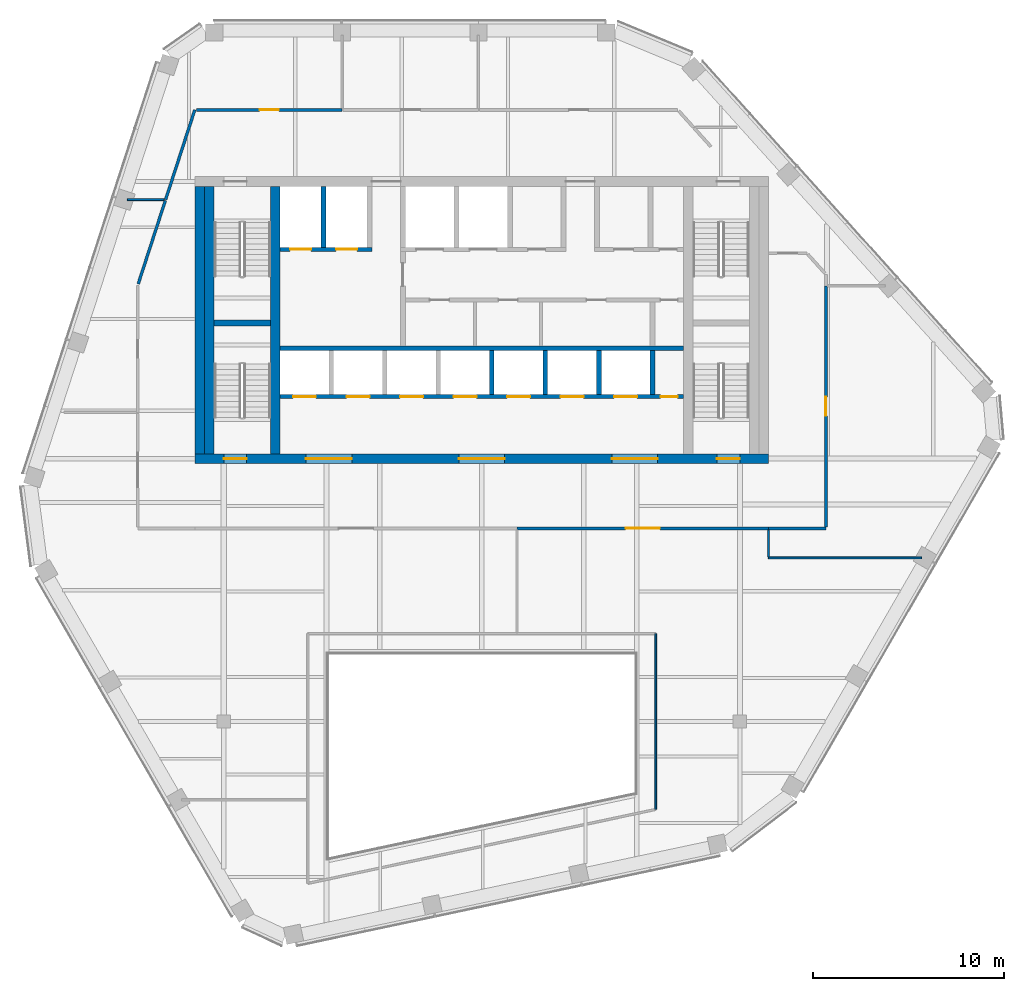
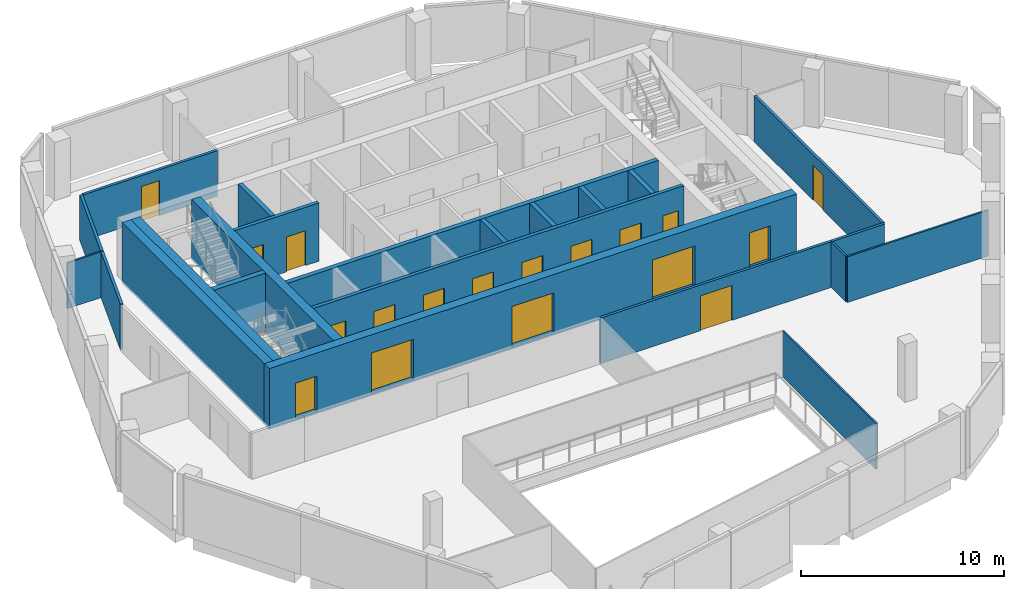
# One storey, part 8 of 15: 23 walls, 18 doors, 18 openings.
"""IFC4 building model written with IfcOpenShell, lengths in metres."""

from ifc_helpers import new_model, si_unit, direction, frame, frame_2d, origin, place, context, subcontext, project, spatial, rectangle, extrude, material, layer, layer_set, type_object, element, fill, save


model = new_model("IFC4")

# Units and contexts
model_context = context("Model", 3, precision=1e-05, world=origin(), true_north=direction((0.0, 1.0)))
body_context = subcontext(model_context, "Body", "Model", "MODEL_VIEW")
ifc_project = project(units=[si_unit("LENGTHUNIT", "METRE"), si_unit("AREAUNIT", "SQUARE_METRE"), si_unit("VOLUMEUNIT", "CUBIC_METRE"), si_unit("PLANEANGLEUNIT", "RADIAN"), si_unit("MASSUNIT", "GRAM", prefix="KILO")], contexts=[model_context])

# Site, building, storey
site_placement = place(None, origin())
site = spatial("IfcSite", under=ifc_project, at=site_placement, CompositionType="ELEMENT")
building_placement = place(site_placement, origin())
building = spatial("IfcBuilding", under=site, at=building_placement, Name="Isthmus Gate Tower", CompositionType="ELEMENT")
storey_placement = place(building_placement, frame((0.0, 0.0, 282.85009765625)))
storey = spatial("IfcBuildingStorey", under=building, at=storey_placement, Name="L72", CompositionType="ELEMENT", Elevation=282.85009765625)

# Wall
ifc_material_1 = material(Name="Fire-rated laminated glass in steel frame", Category="steel")
ifc_layer_1 = layer(ifc_material_1, 0.10009765625)
ifc_layer_set_1 = layer_set([ifc_layer_1], Name="ATRIUM SCREEN GLAZED WALL 100 120 MIN")
wall_type_1 = type_object("IfcWallType", Name="ATRIUM SCREEN GLAZED WALL 100 120 MIN", PredefinedType="PARTITIONING", material=ifc_layer_set_1)
wall_1_placement = place(storey_placement, frame((9.10009765625, -8.89990234375, 0.0), z_axis=(0.0, 0.0, 1.0), x_axis=(0.0, -1.0, 0.0)))
element("IfcWall", 1, at=wall_1_placement, inside=storey, type_object=wall_type_1, Name="L72 atrium screen", PredefinedType="PARTITIONING", context=body_context, shape_type="SweptSolid", body=[
    extrude(rectangle(XDim=9.200927734375, YDim=0.10009765625, at=frame_2d((4.6005859375, 0.0))), origin(), (0.0, 0.0, 1.0), 2.75048828125),
])

# Wall, opening, door
ifc_material_2 = material(Name="Gypsum board on steel studs, fire-rated", Category="steel")
ifc_layer_2 = layer(ifc_material_2, 0.14990234375)
ifc_layer_set_2 = layer_set([ifc_layer_2], Name="CORRIDOR WALL 150 60 MIN")
wall_type_2 = type_object("IfcWallType", Name="CORRIDOR WALL 150 60 MIN", PredefinedType="PARTITIONING", material=ifc_layer_set_2)
wall_2_placement = place(storey_placement, frame((15.0, -3.39990234375, 0.0), z_axis=(0.0, 0.0, 1.0), x_axis=(-1.0, 0.0, 0.0)))
wall_2 = element("IfcWall", 2, at=wall_2_placement, inside=storey, type_object=wall_type_2, Name="L72 Corridor Wall 150 60 Min", PredefinedType="PARTITIONING", context=body_context, shape_type="SweptSolid", body=[
    extrude(rectangle(XDim=13.156005859375, YDim=0.14990234375, at=frame_2d((6.578125, 0.0))), origin(), (0.0, 0.0, 1.0), 2.75048828125),
])
opening_1_placement = place(wall_2_placement, frame((5.677978515625, 0.0, 0.0)))
opening_1 = element("IfcOpeningElement", 3, at=opening_1_placement, cuts=wall_2, Name="Opening DT-T6C-09", PredefinedType="OPENING", context=body_context, shape_type="SweptSolid", body=[
    extrude(rectangle(XDim=1.800048828125, YDim=2.10009765625, at=frame_2d((0.89990234375, 1.050048828125))), frame((0.0, 0.0849609375, 0.0), z_axis=(0.0, -1.0, 0.0), x_axis=(1.0, 0.0, 0.0)), (0.0, 0.0, 1.0), 0.169921875),
])
ifc_material_3 = material(Name="Solid core timber door leaf, fire-rated", Category="wood")
door_type_1 = type_object("IfcDoorType", Name="FIRE DOOR ROOM 1800 X 2100 60 MIN", OperationType="DOUBLE_DOOR_DOUBLE_SWING", PredefinedType="DOOR", material=ifc_material_3)
door_1_placement = place(opening_1_placement, origin())
door_1 = element("IfcDoor", 4, at=door_1_placement, inside=storey, type_object=door_type_1, Name="L72 room door", OperationType="DOUBLE_DOOR_DOUBLE_SWING", OverallHeight=2.10009765625, OverallWidth=1.800048828125, PredefinedType="DOOR", context=body_context, shape_type="SweptSolid", body=[
    extrude(rectangle(XDim=1.800048828125, YDim=2.10009765625, at=frame_2d((0.89990234375, 1.050048828125))), frame((0.0, 0.02490234375, 0.0), z_axis=(0.0, -1.0, 0.0), x_axis=(1.0, 0.0, 0.0)), (0.0, 0.0, 1.0), 0.050048828125),
])
fill(opening_1, door_1)

# Wall
wall_3_placement = place(storey_placement, frame((18.0, -3.39990234375, 0.0), z_axis=(0.0, 0.0, 1.0), x_axis=(-1.0, 0.0, 0.0)))
element("IfcWall", 5, at=wall_3_placement, inside=storey, type_object=wall_type_2, Name="L72 Corridor Wall 150 60 Min", PredefinedType="PARTITIONING", context=body_context, shape_type="SweptSolid", body=[
    extrude(rectangle(XDim=3.0, YDim=0.14990234375, at=frame_2d((1.5, 0.0))), origin(), (0.0, 0.0, 1.0), 2.75048828125),
])

# Wall, opening, door
wall_4_placement = place(storey_placement, frame((18.0, 9.2900390625, 0.0), z_axis=(0.0, 0.0, 1.0), x_axis=(0.0, -1.0, 0.0)))
wall_4 = element("IfcWall", 6, at=wall_4_placement, inside=storey, type_object=wall_type_2, Name="L72 Corridor Wall 150 60 Min", PredefinedType="PARTITIONING", context=body_context, shape_type="SweptSolid", body=[
    extrude(rectangle(XDim=12.614990234375, YDim=0.14990234375, at=frame_2d((6.3076171875, 0.0))), origin(), (0.0, 0.0, 1.0), 2.75048828125),
])
opening_2_placement = place(wall_4_placement, frame((5.8076171875, 0.0, 0.0)))
opening_2 = element("IfcOpeningElement", 7, at=opening_2_placement, cuts=wall_4, Name="Opening DT-T6C-06", PredefinedType="OPENING", context=body_context, shape_type="SweptSolid", body=[
    extrude(rectangle(XDim=1.0, YDim=2.10009765625, at=frame_2d((0.5, 1.050048828125))), frame((0.0, 0.0849609375, 0.0), z_axis=(0.0, -1.0, 0.0), x_axis=(1.0, 0.0, 0.0)), (0.0, 0.0, 1.0), 0.169921875),
])
ifc_material_4 = material(Name="Solid core timber door leaf, fire-rated", Category="wood")
door_type_2 = type_object("IfcDoorType", Name="FIRE DOOR ROOM 1000 X 2100 60 MIN", OperationType="SINGLE_SWING_LEFT", PredefinedType="DOOR", material=ifc_material_4)
door_2_placement = place(opening_2_placement, origin())
door_2 = element("IfcDoor", 8, at=door_2_placement, inside=storey, type_object=door_type_2, Name="L72 room door", OperationType="SINGLE_SWING_RIGHT", OverallHeight=2.10009765625, OverallWidth=1.0, PredefinedType="DOOR", context=body_context, shape_type="SweptSolid", body=[
    extrude(rectangle(XDim=1.0, YDim=2.10009765625, at=frame_2d((0.5, 1.050048828125))), frame((0.0, 0.02490234375, 0.0), z_axis=(0.0, -1.0, 0.0), x_axis=(1.0, 0.0, 0.0)), (0.0, 0.0, 1.0), 0.050048828125),
])
fill(opening_2, door_2)

# Wall
wall_5_placement = place(storey_placement, frame((-16.541015625, 13.803955078125, 0.0), z_axis=(0.0, 0.0, 1.0), x_axis=(0.309069302416, 0.951039518792, 0.0)))
element("IfcWall", 9, at=wall_5_placement, inside=storey, type_object=wall_type_2, Name="L72 Corridor Wall 150 60 Min", PredefinedType="PARTITIONING", context=body_context, shape_type="SweptSolid", body=[
    extrude(rectangle(XDim=4.937744140625, YDim=0.14990234375, at=frame_2d((2.46875, 0.0))), origin(), (0.0, 0.0, 1.0), 2.75048828125),
])

# Wall, opening, door
wall_6_placement = place(storey_placement, frame((-14.925048828125, 18.5, 0.0), z_axis=(0.0, 0.0, 1.0), x_axis=(1.0, 0.0, 0.0)))
wall_6 = element("IfcWall", 10, at=wall_6_placement, inside=storey, type_object=wall_type_2, Name="L72 Corridor Wall 150 60 Min", PredefinedType="PARTITIONING", context=body_context, shape_type="SweptSolid", body=[
    extrude(rectangle(XDim=7.614990234375, YDim=0.14990234375, at=frame_2d((3.8076171875, 0.0))), origin(), (0.0, 0.0, 1.0), 2.75048828125),
])
opening_3_placement = place(wall_6_placement, frame((3.3076171875, 0.0, 0.0)))
opening_3 = element("IfcOpeningElement", 11, at=opening_3_placement, cuts=wall_6, Name="Opening DT-T6C-01", PredefinedType="OPENING", context=body_context, shape_type="SweptSolid", body=[
    extrude(rectangle(XDim=1.0, YDim=2.10009765625, at=frame_2d((0.5, 1.050048828125))), frame((0.0, 0.0849609375, 0.0), z_axis=(0.0, -1.0, 0.0), x_axis=(1.0, 0.0, 0.0)), (0.0, 0.0, 1.0), 0.169921875),
])
door_3_placement = place(opening_3_placement, origin())
door_3 = element("IfcDoor", 12, at=door_3_placement, inside=storey, type_object=door_type_2, Name="L72 room door", OperationType="SINGLE_SWING_RIGHT", OverallHeight=2.10009765625, OverallWidth=1.0, PredefinedType="DOOR", context=body_context, shape_type="SweptSolid", body=[
    extrude(rectangle(XDim=1.0, YDim=2.10009765625, at=frame_2d((0.5, 1.050048828125))), frame((0.0, 0.02490234375, 0.0), z_axis=(0.0, -1.0, 0.0), x_axis=(1.0, 0.0, 0.0)), (0.0, 0.0, 1.0), 0.050048828125),
])
fill(opening_3, door_3)

# Walls
wall_7_placement = place(storey_placement, frame((-17.976806640625, 9.38623046875, 0.0), z_axis=(0.0, 0.0, 1.0), x_axis=(0.309110099354, 0.951026259615, 0.0)))
element("IfcWall", 13, at=wall_7_placement, inside=storey, type_object=wall_type_2, Name="L72 Corridor Wall 150 60 Min", PredefinedType="PARTITIONING", context=body_context, shape_type="SweptSolid", body=[
    extrude(rectangle(XDim=4.59521484375, YDim=0.14990234375, at=frame_2d((2.297607421875, 0.0))), origin(), (0.0, 0.0, 1.0), 2.75048828125),
])
ifc_material_5 = material(Name="Concrete f'c 50 MPa", Category="concrete")
ifc_layer_3 = layer(ifc_material_5, 0.5)
ifc_layer_set_3 = layer_set([ifc_layer_3], Name="RC CORE SPINE WALL 500 F'C 50")
wall_type_3 = type_object("IfcWallType", Name="RC CORE SPINE WALL 500 F'C 50", PredefinedType="SOLIDWALL", material=ifc_layer_set_3)
wall_8_placement = place(storey_placement, frame((-10.800048828125, 0.5, -0.150146484375), z_axis=(0.0, 0.0, 1.0), x_axis=(0.0, 1.0, 0.0)))
element("IfcWall", 14, at=wall_8_placement, inside=storey, type_object=wall_type_3, Name="str-corewall-L72-SPW", PredefinedType="SOLIDWALL", context=body_context, shape_type="SweptSolid", body=[
    extrude(rectangle(XDim=14.0, YDim=0.5, at=frame_2d((7.0, 0.0))), origin(), (0.0, 0.0, 1.0), 3.650146484375),
])

# Wall, openings, doors
ifc_material_6 = material(Name="Concrete f'c 50 MPa", Category="concrete")
ifc_layer_4 = layer(ifc_material_6, 0.5)
ifc_layer_set_4 = layer_set([ifc_layer_4], Name="RC CORE WALL 500 F'C 50")
wall_type_4 = type_object("IfcWallType", Name="RC CORE WALL 500 F'C 50", PredefinedType="SOLIDWALL", material=ifc_layer_set_4)
wall_9_placement = place(storey_placement, frame((-15.0, 0.25, -0.150146484375), z_axis=(0.0, 0.0, 1.0), x_axis=(1.0, 0.0, 0.0)))
wall_9 = element("IfcWall", 15, at=wall_9_placement, inside=storey, type_object=wall_type_4, Name="str-corewall-L72-S", PredefinedType="SOLIDWALL", context=body_context, shape_type="SweptSolid", body=[
    extrude(rectangle(XDim=30.0, YDim=0.5, at=frame_2d((15.0, 0.0))), origin(), (0.0, 0.0, 1.0), 3.650146484375),
])
opening_4_placement = place(wall_9_placement, frame((5.800048828125, 0.0, 0.14990234375)))
opening_4 = element("IfcOpeningElement", 16, at=opening_4_placement, cuts=wall_9, Name="Opening DC-A18-10", PredefinedType="OPENING", context=body_context, shape_type="SweptSolid", body=[
    extrude(rectangle(XDim=2.39990234375, YDim=2.39990234375, at=frame_2d((1.199951171875, 1.199951171875))), frame((0.0, 0.260009765625, 0.0), z_axis=(0.0, -1.0, 0.0), x_axis=(1.0, 0.0, 0.0)), (0.0, 0.0, 1.0), 0.52001953125),
])
opening_5_placement = place(wall_9_placement, frame((13.800048828125, 0.0, 0.14990234375)))
opening_5 = element("IfcOpeningElement", 17, at=opening_5_placement, cuts=wall_9, Name="Opening DC-A18-11", PredefinedType="OPENING", context=body_context, shape_type="SweptSolid", body=[
    extrude(rectangle(XDim=2.39990234375, YDim=2.39990234375, at=frame_2d((1.199951171875, 1.199951171875))), frame((0.0, 0.260009765625, 0.0), z_axis=(0.0, -1.0, 0.0), x_axis=(1.0, 0.0, 0.0)), (0.0, 0.0, 1.0), 0.52001953125),
])
opening_6_placement = place(wall_9_placement, frame((21.800048828125, 0.0, 0.14990234375)))
opening_6 = element("IfcOpeningElement", 18, at=opening_6_placement, cuts=wall_9, Name="Opening DC-A18-12", PredefinedType="OPENING", context=body_context, shape_type="SweptSolid", body=[
    extrude(rectangle(XDim=2.39990234375, YDim=2.39990234375, at=frame_2d((1.199951171875, 1.199951171875))), frame((0.0, 0.260009765625, 0.0), z_axis=(0.0, -1.0, 0.0), x_axis=(1.0, 0.0, 0.0)), (0.0, 0.0, 1.0), 0.52001953125),
])
opening_7_placement = place(wall_9_placement, frame((1.5, 0.0, 0.14990234375)))
opening_7 = element("IfcOpeningElement", 19, at=opening_7_placement, cuts=wall_9, Name="Opening DC-A18-17", PredefinedType="OPENING", context=body_context, shape_type="SweptSolid", body=[
    extrude(rectangle(XDim=1.199951171875, YDim=2.10009765625, at=frame_2d((0.60009765625, 1.050048828125))), frame((0.0, 0.260009765625, 0.0), z_axis=(0.0, -1.0, 0.0), x_axis=(1.0, 0.0, 0.0)), (0.0, 0.0, 1.0), 0.52001953125),
])
opening_8_placement = place(wall_9_placement, frame((27.300048828125, 0.0, 0.14990234375)))
opening_8 = element("IfcOpeningElement", 20, at=opening_8_placement, cuts=wall_9, Name="Opening DC-A18-18", PredefinedType="OPENING", context=body_context, shape_type="SweptSolid", body=[
    extrude(rectangle(XDim=1.199951171875, YDim=2.10009765625, at=frame_2d((0.60009765625, 1.050048828125))), frame((0.0, 0.260009765625, 0.0), z_axis=(0.0, -1.0, 0.0), x_axis=(1.0, 0.0, 0.0)), (0.0, 0.0, 1.0), 0.52001953125),
])
ifc_material_7 = material(Name="Laminated safety glass in steel frame, fire-rated", Category="steel")
door_type_3 = type_object("IfcDoorType", Name="LOBBY ENTRANCE FIRE DOOR 2400 X 2400 60 MIN", OperationType="DOUBLE_DOOR_DOUBLE_SWING", PredefinedType="DOOR", material=ifc_material_7)
door_4_placement = place(opening_4_placement, origin())
door_4 = element("IfcDoor", 21, at=door_4_placement, inside=storey, type_object=door_type_3, Name="Lobby Entrance PS-W", OperationType="DOUBLE_DOOR_DOUBLE_SWING", OverallHeight=2.39990234375, OverallWidth=2.39990234375, PredefinedType="DOOR", context=body_context, shape_type="SweptSolid", body=[
    extrude(rectangle(XDim=2.39990234375, YDim=2.39990234375, at=frame_2d((1.199951171875, 1.199951171875))), frame((0.0, 0.02490234375, 0.0), z_axis=(0.0, -1.0, 0.0), x_axis=(1.0, 0.0, 0.0)), (0.0, 0.0, 1.0), 0.050048828125),
])
fill(opening_4, door_4)
door_5_placement = place(opening_5_placement, origin())
door_5 = element("IfcDoor", 22, at=door_5_placement, inside=storey, type_object=door_type_3, Name="Lobby Entrance PS-C", OperationType="DOUBLE_DOOR_DOUBLE_SWING", OverallHeight=2.39990234375, OverallWidth=2.39990234375, PredefinedType="DOOR", context=body_context, shape_type="SweptSolid", body=[
    extrude(rectangle(XDim=2.39990234375, YDim=2.39990234375, at=frame_2d((1.199951171875, 1.199951171875))), frame((0.0, 0.02490234375, 0.0), z_axis=(0.0, -1.0, 0.0), x_axis=(1.0, 0.0, 0.0)), (0.0, 0.0, 1.0), 0.050048828125),
])
fill(opening_5, door_5)
door_6_placement = place(opening_6_placement, origin())
door_6 = element("IfcDoor", 23, at=door_6_placement, inside=storey, type_object=door_type_3, Name="Lobby Entrance PS-E", OperationType="DOUBLE_DOOR_DOUBLE_SWING", OverallHeight=2.39990234375, OverallWidth=2.39990234375, PredefinedType="DOOR", context=body_context, shape_type="SweptSolid", body=[
    extrude(rectangle(XDim=2.39990234375, YDim=2.39990234375, at=frame_2d((1.199951171875, 1.199951171875))), frame((0.0, 0.02490234375, 0.0), z_axis=(0.0, -1.0, 0.0), x_axis=(1.0, 0.0, 0.0)), (0.0, 0.0, 1.0), 0.050048828125),
])
fill(opening_6, door_6)
ifc_material_8 = material(Name="Steel door leaf, fire-rated", Category="steel")
door_type_4 = type_object("IfcDoorType", Name="STAIR FIRE DOOR 1200 X 2100 90 MIN", OperationType="SINGLE_SWING_LEFT", PredefinedType="DOOR", material=ifc_material_8)
door_7_placement = place(opening_7_placement, origin())
door_7 = element("IfcDoor", 24, at=door_7_placement, inside=storey, type_object=door_type_4, Name="Exit Stair 7 Door", OperationType="SINGLE_SWING_LEFT", OverallHeight=2.10009765625, OverallWidth=1.199951171875, PredefinedType="DOOR", context=body_context, shape_type="SweptSolid", body=[
    extrude(rectangle(XDim=1.199951171875, YDim=2.10009765625, at=frame_2d((0.60009765625, 1.050048828125))), frame((0.0, 0.02490234375, 0.0), z_axis=(0.0, -1.0, 0.0), x_axis=(1.0, 0.0, 0.0)), (0.0, 0.0, 1.0), 0.050048828125),
])
fill(opening_7, door_7)
door_8_placement = place(opening_8_placement, origin())
door_8 = element("IfcDoor", 25, at=door_8_placement, inside=storey, type_object=door_type_4, Name="Exit Stair 8 Door", OperationType="SINGLE_SWING_RIGHT", OverallHeight=2.10009765625, OverallWidth=1.199951171875, PredefinedType="DOOR", context=body_context, shape_type="SweptSolid", body=[
    extrude(rectangle(XDim=1.199951171875, YDim=2.10009765625, at=frame_2d((0.60009765625, 1.050048828125))), frame((0.0, 0.02490234375, 0.0), z_axis=(0.0, -1.0, 0.0), x_axis=(1.0, 0.0, 0.0)), (0.0, 0.0, 1.0), 0.050048828125),
])
fill(opening_8, door_8)

# Walls
wall_10_placement = place(storey_placement, frame((-14.75, 0.5, -0.150146484375), z_axis=(0.0, 0.0, 1.0), x_axis=(0.0, 1.0, 0.0)))
element("IfcWall", 26, at=wall_10_placement, inside=storey, type_object=wall_type_4, Name="str-corewall-L72-W", PredefinedType="SOLIDWALL", context=body_context, shape_type="SweptSolid", body=[
    extrude(rectangle(XDim=14.0, YDim=0.5, at=frame_2d((7.0, 0.0))), origin(), (0.0, 0.0, 1.0), 3.650146484375),
])
ifc_material_9 = material(Name="Gypsum board on steel studs, fire-rated", Category="steel")
ifc_layer_5 = layer(ifc_material_9, 0.10009765625)
ifc_layer_set_5 = layer_set([ifc_layer_5], Name="ROOM PARTITION 100 30 MIN")
wall_type_5 = type_object("IfcWallType", Name="ROOM PARTITION 100 30 MIN", PredefinedType="PARTITIONING", material=ifc_layer_set_5)
wall_11_placement = place(storey_placement, frame((-18.5390625, 13.803955078125, 0.0), z_axis=(0.0, 0.0, 1.0), x_axis=(1.0, 0.0, 0.0)))
element("IfcWall", 27, at=wall_11_placement, inside=storey, type_object=wall_type_5, Name="L72 Room Partition 100 30 Min", PredefinedType="PARTITIONING", context=body_context, shape_type="SweptSolid", body=[
    extrude(rectangle(XDim=1.923095703125, YDim=0.10009765625, at=frame_2d((0.96142578125, 0.0))), origin(), (0.0, 0.0, 1.0), 2.75048828125),
])
wall_12_placement = place(storey_placement, frame((15.0, -4.945068359375, 0.0), z_axis=(0.0, 0.0, 1.0), x_axis=(1.0, 0.0, 0.0)))
element("IfcWall", 28, at=wall_12_placement, inside=storey, type_object=wall_type_5, Name="L72 Room Partition 100 30 Min", PredefinedType="PARTITIONING", context=body_context, shape_type="SweptSolid", body=[
    extrude(rectangle(XDim=8.010009765625, YDim=0.10009765625, at=frame_2d((4.0048828125, 0.0))), origin(), (0.0, 0.0, 1.0), 2.75048828125),
])
wall_13_placement = place(storey_placement, frame((15.0, -4.89501953125, 0.0), z_axis=(0.0, 0.0, 1.0), x_axis=(0.0, 1.0, 0.0)))
element("IfcWall", 29, at=wall_13_placement, inside=storey, type_object=wall_type_5, Name="L72 Room Partition 100 30 Min", PredefinedType="PARTITIONING", context=body_context, shape_type="SweptSolid", body=[
    extrude(rectangle(XDim=1.419921875, YDim=0.10009765625, at=frame_2d((0.7099609375, 0.0))), origin(), (0.0, 0.0, 1.0), 2.75048828125),
])

# Wall, openings, doors
ifc_material_10 = material(Name="Fire-rated blockwork masonry, 15 MPa", Category="masonry")
ifc_layer_6 = layer(ifc_material_10, 0.199951171875)
ifc_layer_set_6 = layer_set([ifc_layer_6], Name="SHAFT FRONT WALL 200 120 MIN")
wall_type_6 = type_object("IfcWallType", Name="SHAFT FRONT WALL 200 120 MIN", PredefinedType="PARTITIONING", material=ifc_layer_set_6)
wall_14_placement = place(storey_placement, frame((-10.550048828125, 3.5, 0.0), z_axis=(0.0, 0.0, 1.0), x_axis=(1.0, 0.0, 0.0)))
wall_14 = element("IfcWall", 30, at=wall_14_placement, inside=storey, type_object=wall_type_6, Name="L72 SHAFT FRONT WALL 200 120 MIN", PredefinedType="PARTITIONING", context=body_context, shape_type="SweptSolid", body=[
    extrude(rectangle(XDim=21.10009765625, YDim=0.199951171875, at=frame_2d((10.550048828125, 0.0))), origin(), (0.0, 0.0, 1.0), 3.5),
])
opening_9_placement = place(wall_14_placement, frame((0.675048828125, 0.0, 0.0)))
opening_9 = element("IfcOpeningElement", 31, at=opening_9_placement, cuts=wall_14, Name="Opening LD-LC1", PredefinedType="OPENING", context=body_context, shape_type="SweptSolid", body=[
    extrude(rectangle(XDim=1.199951171875, YDim=2.10009765625, at=frame_2d((0.60009765625, 1.050048828125))), frame((0.0, 0.10986328125, 0.0), z_axis=(0.0, -1.0, 0.0), x_axis=(1.0, 0.0, 0.0)), (0.0, 0.0, 1.0), 0.219970703125),
])
opening_10_placement = place(wall_14_placement, frame((3.47509765625, 0.0, 0.0)))
opening_10 = element("IfcOpeningElement", 32, at=opening_10_placement, cuts=wall_14, Name="Opening LD-LC2", PredefinedType="OPENING", context=body_context, shape_type="SweptSolid", body=[
    extrude(rectangle(XDim=1.199951171875, YDim=2.10009765625, at=frame_2d((0.60009765625, 1.050048828125))), frame((0.0, 0.10986328125, 0.0), z_axis=(0.0, -1.0, 0.0), x_axis=(1.0, 0.0, 0.0)), (0.0, 0.0, 1.0), 0.219970703125),
])
opening_11_placement = place(wall_14_placement, frame((6.27490234375, 0.0, 0.0)))
opening_11 = element("IfcOpeningElement", 33, at=opening_11_placement, cuts=wall_14, Name="Opening LD-LC3", PredefinedType="OPENING", context=body_context, shape_type="SweptSolid", body=[
    extrude(rectangle(XDim=1.199951171875, YDim=2.10009765625, at=frame_2d((0.60009765625, 1.050048828125))), frame((0.0, 0.10986328125, 0.0), z_axis=(0.0, -1.0, 0.0), x_axis=(1.0, 0.0, 0.0)), (0.0, 0.0, 1.0), 0.219970703125),
])
opening_12_placement = place(wall_14_placement, frame((9.074951171875, 0.0, 0.0)))
opening_12 = element("IfcOpeningElement", 34, at=opening_12_placement, cuts=wall_14, Name="Opening LD-LC4", PredefinedType="OPENING", context=body_context, shape_type="SweptSolid", body=[
    extrude(rectangle(XDim=1.199951171875, YDim=2.10009765625, at=frame_2d((0.60009765625, 1.050048828125))), frame((0.0, 0.10986328125, 0.0), z_axis=(0.0, -1.0, 0.0), x_axis=(1.0, 0.0, 0.0)), (0.0, 0.0, 1.0), 0.219970703125),
])
opening_13_placement = place(wall_14_placement, frame((11.875, 0.0, 0.0)))
opening_13 = element("IfcOpeningElement", 35, at=opening_13_placement, cuts=wall_14, Name="Opening LD-LC5", PredefinedType="OPENING", context=body_context, shape_type="SweptSolid", body=[
    extrude(rectangle(XDim=1.199951171875, YDim=2.10009765625, at=frame_2d((0.60009765625, 1.050048828125))), frame((0.0, 0.10986328125, 0.0), z_axis=(0.0, -1.0, 0.0), x_axis=(1.0, 0.0, 0.0)), (0.0, 0.0, 1.0), 0.219970703125),
])
opening_14_placement = place(wall_14_placement, frame((14.675048828125, 0.0, 0.0)))
opening_14 = element("IfcOpeningElement", 36, at=opening_14_placement, cuts=wall_14, Name="Opening LD-LC6", PredefinedType="OPENING", context=body_context, shape_type="SweptSolid", body=[
    extrude(rectangle(XDim=1.199951171875, YDim=2.10009765625, at=frame_2d((0.60009765625, 1.050048828125))), frame((0.0, 0.10986328125, 0.0), z_axis=(0.0, -1.0, 0.0), x_axis=(1.0, 0.0, 0.0)), (0.0, 0.0, 1.0), 0.219970703125),
])
opening_15_placement = place(wall_14_placement, frame((17.47509765625, 0.0, 0.0)))
opening_15 = element("IfcOpeningElement", 37, at=opening_15_placement, cuts=wall_14, Name="Opening LD-LC7", PredefinedType="OPENING", context=body_context, shape_type="SweptSolid", body=[
    extrude(rectangle(XDim=1.199951171875, YDim=2.10009765625, at=frame_2d((0.60009765625, 1.050048828125))), frame((0.0, 0.10986328125, 0.0), z_axis=(0.0, -1.0, 0.0), x_axis=(1.0, 0.0, 0.0)), (0.0, 0.0, 1.0), 0.219970703125),
])
opening_16_placement = place(wall_14_placement, frame((19.89990234375, 0.0, 0.0)))
opening_16 = element("IfcOpeningElement", 38, at=opening_16_placement, cuts=wall_14, Name="Opening DC-A18-02", PredefinedType="OPENING", context=body_context, shape_type="SweptSolid", body=[
    extrude(rectangle(XDim=0.89990234375, YDim=2.10009765625, at=frame_2d((0.449951171875, 1.050048828125))), frame((0.0, 0.10986328125, 0.0), z_axis=(0.0, -1.0, 0.0), x_axis=(1.0, 0.0, 0.0)), (0.0, 0.0, 1.0), 0.219970703125),
])
ifc_material_11 = material(Name="Stainless steel sliding leaf", Category="steel")
door_type_5 = type_object("IfcDoorType", Name="LIFT LANDING FIRE DOOR 1200 X 2100 90 MIN", OperationType="DOUBLE_DOOR_SLIDING", PredefinedType="DOOR", material=ifc_material_11)
door_9_placement = place(opening_9_placement, origin())
door_9 = element("IfcDoor", 39, at=door_9_placement, inside=storey, type_object=door_type_5, Name="Lift Landing Door LC1", OperationType="DOUBLE_DOOR_SLIDING", OverallHeight=2.10009765625, OverallWidth=1.199951171875, PredefinedType="DOOR", context=body_context, shape_type="SweptSolid", body=[
    extrude(rectangle(XDim=1.199951171875, YDim=2.10009765625, at=frame_2d((0.60009765625, 1.050048828125))), frame((0.0, 0.02490234375, 0.0), z_axis=(0.0, -1.0, 0.0), x_axis=(1.0, 0.0, 0.0)), (0.0, 0.0, 1.0), 0.050048828125),
])
fill(opening_9, door_9)
door_10_placement = place(opening_10_placement, origin())
door_10 = element("IfcDoor", 40, at=door_10_placement, inside=storey, type_object=door_type_5, Name="Lift Landing Door LC2", OperationType="DOUBLE_DOOR_SLIDING", OverallHeight=2.10009765625, OverallWidth=1.199951171875, PredefinedType="DOOR", context=body_context, shape_type="SweptSolid", body=[
    extrude(rectangle(XDim=1.199951171875, YDim=2.10009765625, at=frame_2d((0.60009765625, 1.050048828125))), frame((0.0, 0.02490234375, 0.0), z_axis=(0.0, -1.0, 0.0), x_axis=(1.0, 0.0, 0.0)), (0.0, 0.0, 1.0), 0.050048828125),
])
fill(opening_10, door_10)
door_11_placement = place(opening_11_placement, origin())
door_11 = element("IfcDoor", 41, at=door_11_placement, inside=storey, type_object=door_type_5, Name="Lift Landing Door LC3", OperationType="DOUBLE_DOOR_SLIDING", OverallHeight=2.10009765625, OverallWidth=1.199951171875, PredefinedType="DOOR", context=body_context, shape_type="SweptSolid", body=[
    extrude(rectangle(XDim=1.199951171875, YDim=2.10009765625, at=frame_2d((0.60009765625, 1.050048828125))), frame((0.0, 0.02490234375, 0.0), z_axis=(0.0, -1.0, 0.0), x_axis=(1.0, 0.0, 0.0)), (0.0, 0.0, 1.0), 0.050048828125),
])
fill(opening_11, door_11)
door_12_placement = place(opening_12_placement, origin())
door_12 = element("IfcDoor", 42, at=door_12_placement, inside=storey, type_object=door_type_5, Name="Lift Landing Door LC4", OperationType="DOUBLE_DOOR_SLIDING", OverallHeight=2.10009765625, OverallWidth=1.199951171875, PredefinedType="DOOR", context=body_context, shape_type="SweptSolid", body=[
    extrude(rectangle(XDim=1.199951171875, YDim=2.10009765625, at=frame_2d((0.60009765625, 1.050048828125))), frame((0.0, 0.02490234375, 0.0), z_axis=(0.0, -1.0, 0.0), x_axis=(1.0, 0.0, 0.0)), (0.0, 0.0, 1.0), 0.050048828125),
])
fill(opening_12, door_12)
door_13_placement = place(opening_13_placement, origin())
door_13 = element("IfcDoor", 43, at=door_13_placement, inside=storey, type_object=door_type_5, Name="Lift Landing Door LC5", OperationType="DOUBLE_DOOR_SLIDING", OverallHeight=2.10009765625, OverallWidth=1.199951171875, PredefinedType="DOOR", context=body_context, shape_type="SweptSolid", body=[
    extrude(rectangle(XDim=1.199951171875, YDim=2.10009765625, at=frame_2d((0.60009765625, 1.050048828125))), frame((0.0, 0.02490234375, 0.0), z_axis=(0.0, -1.0, 0.0), x_axis=(1.0, 0.0, 0.0)), (0.0, 0.0, 1.0), 0.050048828125),
])
fill(opening_13, door_13)
door_14_placement = place(opening_14_placement, origin())
door_14 = element("IfcDoor", 44, at=door_14_placement, inside=storey, type_object=door_type_5, Name="Lift Landing Door LC6", OperationType="DOUBLE_DOOR_SLIDING", OverallHeight=2.10009765625, OverallWidth=1.199951171875, PredefinedType="DOOR", context=body_context, shape_type="SweptSolid", body=[
    extrude(rectangle(XDim=1.199951171875, YDim=2.10009765625, at=frame_2d((0.60009765625, 1.050048828125))), frame((0.0, 0.02490234375, 0.0), z_axis=(0.0, -1.0, 0.0), x_axis=(1.0, 0.0, 0.0)), (0.0, 0.0, 1.0), 0.050048828125),
])
fill(opening_14, door_14)
door_15_placement = place(opening_15_placement, origin())
door_15 = element("IfcDoor", 45, at=door_15_placement, inside=storey, type_object=door_type_5, Name="Lift Landing Door LC7", OperationType="DOUBLE_DOOR_SLIDING", OverallHeight=2.10009765625, OverallWidth=1.199951171875, PredefinedType="DOOR", context=body_context, shape_type="SweptSolid", body=[
    extrude(rectangle(XDim=1.199951171875, YDim=2.10009765625, at=frame_2d((0.60009765625, 1.050048828125))), frame((0.0, 0.02490234375, 0.0), z_axis=(0.0, -1.0, 0.0), x_axis=(1.0, 0.0, 0.0)), (0.0, 0.0, 1.0), 0.050048828125),
])
fill(opening_15, door_15)
ifc_material_12 = material(Name="Steel door leaf, fire-rated", Category="steel")
door_type_6 = type_object("IfcDoorType", Name="RISER FIRE DOOR 900 X 2100 90 MIN", OperationType="SINGLE_SWING_LEFT", PredefinedType="DOOR", material=ifc_material_12)
door_16_placement = place(opening_16_placement, origin())
door_16 = element("IfcDoor", 46, at=door_16_placement, inside=storey, type_object=door_type_6, Name="Riser Door", OperationType="SINGLE_SWING_RIGHT", OverallHeight=2.10009765625, OverallWidth=0.89990234375, PredefinedType="DOOR", context=body_context, shape_type="SweptSolid", body=[
    extrude(rectangle(XDim=0.89990234375, YDim=2.10009765625, at=frame_2d((0.449951171875, 1.050048828125))), frame((0.0, 0.02490234375, 0.0), z_axis=(0.0, -1.0, 0.0), x_axis=(1.0, 0.0, 0.0)), (0.0, 0.0, 1.0), 0.050048828125),
])
fill(opening_16, door_16)

wall_15_placement = place(storey_placement, frame((-10.550048828125, 11.199951171875, 0.0), z_axis=(0.0, 0.0, 1.0), x_axis=(1.0, 0.0, 0.0)))
wall_15 = element("IfcWall", 47, at=wall_15_placement, inside=storey, type_object=wall_type_6, Name="L72 SHAFT FRONT WALL 200 120 MIN", PredefinedType="PARTITIONING", context=body_context, shape_type="SweptSolid", body=[
    extrude(rectangle(XDim=4.800048828125, YDim=0.199951171875, at=frame_2d((2.39990234375, 0.0))), origin(), (0.0, 0.0, 1.0), 3.5),
])
opening_17_placement = place(wall_15_placement, frame((0.52490234375, 0.0, 0.0)))
opening_17 = element("IfcOpeningElement", 48, at=opening_17_placement, cuts=wall_15, Name="Opening LD-LF1", PredefinedType="OPENING", context=body_context, shape_type="SweptSolid", body=[
    extrude(rectangle(XDim=1.10009765625, YDim=2.10009765625, at=frame_2d((0.550048828125, 1.050048828125))), frame((0.0, 0.10986328125, 0.0), z_axis=(0.0, -1.0, 0.0), x_axis=(1.0, 0.0, 0.0)), (0.0, 0.0, 1.0), 0.219970703125),
])
opening_18_placement = place(wall_15_placement, frame((2.925048828125, 0.0, 0.0)))
opening_18 = element("IfcOpeningElement", 49, at=opening_18_placement, cuts=wall_15, Name="Opening LD-LF2", PredefinedType="OPENING", context=body_context, shape_type="SweptSolid", body=[
    extrude(rectangle(XDim=1.10009765625, YDim=2.10009765625, at=frame_2d((0.550048828125, 1.050048828125))), frame((0.0, 0.10986328125, 0.0), z_axis=(0.0, -1.0, 0.0), x_axis=(1.0, 0.0, 0.0)), (0.0, 0.0, 1.0), 0.219970703125),
])
ifc_material_13 = material(Name="Stainless steel sliding leaf", Category="steel")
door_type_7 = type_object("IfcDoorType", Name="LIFT LANDING FIRE DOOR 1100 X 2100 90 MIN", OperationType="DOUBLE_DOOR_SLIDING", PredefinedType="DOOR", material=ifc_material_13)
door_17_placement = place(opening_17_placement, origin())
door_17 = element("IfcDoor", 50, at=door_17_placement, inside=storey, type_object=door_type_7, Name="Lift Landing Door LF1", OperationType="DOUBLE_DOOR_SLIDING", OverallHeight=2.10009765625, OverallWidth=1.10009765625, PredefinedType="DOOR", context=body_context, shape_type="SweptSolid", body=[
    extrude(rectangle(XDim=1.10009765625, YDim=2.10009765625, at=frame_2d((0.550048828125, 1.050048828125))), frame((0.0, 0.02490234375, 0.0), z_axis=(0.0, -1.0, 0.0), x_axis=(1.0, 0.0, 0.0)), (0.0, 0.0, 1.0), 0.050048828125),
])
fill(opening_17, door_17)
door_18_placement = place(opening_18_placement, origin())
door_18 = element("IfcDoor", 51, at=door_18_placement, inside=storey, type_object=door_type_7, Name="Lift Landing Door LF2", OperationType="DOUBLE_DOOR_SLIDING", OverallHeight=2.10009765625, OverallWidth=1.10009765625, PredefinedType="DOOR", context=body_context, shape_type="SweptSolid", body=[
    extrude(rectangle(XDim=1.10009765625, YDim=2.10009765625, at=frame_2d((0.550048828125, 1.050048828125))), frame((0.0, 0.02490234375, 0.0), z_axis=(0.0, -1.0, 0.0), x_axis=(1.0, 0.0, 0.0)), (0.0, 0.0, 1.0), 0.050048828125),
])
fill(opening_18, door_18)

# Walls
ifc_material_14 = material(Name="Fire-rated blockwork masonry, 15 MPa", Category="masonry")
ifc_layer_7 = layer(ifc_material_14, 0.25)
ifc_layer_set_7 = layer_set([ifc_layer_7], Name="SHAFT WALL 250 120 MIN")
wall_type_7 = type_object("IfcWallType", Name="SHAFT WALL 250 120 MIN", PredefinedType="PARTITIONING", material=ifc_layer_set_7)
wall_16_placement = place(storey_placement, frame((-10.550048828125, 6.02490234375, 0.0), z_axis=(0.0, 0.0, 1.0), x_axis=(1.0, 0.0, 0.0)))
element("IfcWall", 52, at=wall_16_placement, inside=storey, type_object=wall_type_7, Name="L72 SHAFT WALL 250 120 MIN", PredefinedType="PARTITIONING", context=body_context, shape_type="SweptSolid", body=[
    extrude(rectangle(XDim=21.10009765625, YDim=0.25, at=frame_2d((10.550048828125, 0.0))), origin(), (0.0, 0.0, 1.0), 3.5),
])
for number, where, z_axis, x_axis, name in (
    (53, (0.52490234375, 3.60009765625, 0.0), (0.0, 0.0, 1.0), (0.0, 1.0, 0.0), "L72 SHAFT WALL 250 120 MIN"),
    (54, (3.324951171875, 3.60009765625, 0.0), (0.0, 0.0, 1.0), (0.0, 1.0, 0.0), "L72 SHAFT WALL 250 120 MIN"),
    (55, (6.125, 3.60009765625, 0.0), (0.0, 0.0, 1.0), (0.0, 1.0, 0.0), "L72 SHAFT WALL 250 120 MIN"),
    (56, (8.925048828125, 3.60009765625, 0.0), (0.0, 0.0, 1.0), (0.0, 1.0, 0.0), "L72 SHAFT WALL 250 120 MIN"),
):
    element("IfcWall", number, at=place(storey_placement, frame(where, z_axis=z_axis, x_axis=x_axis)), inside=storey, type_object=wall_type_7, Name=name, PredefinedType="PARTITIONING", context=body_context, shape_type="SweptSolid", body=[
        extrude(rectangle(XDim=2.2998046875, YDim=0.25, at=frame_2d((1.14990234375, 0.0))), origin(), (0.0, 0.0, 1.0), 3.5),
    ])
wall_17_placement = place(storey_placement, frame((-8.27490234375, 11.300048828125, 0.0), z_axis=(0.0, 0.0, 1.0), x_axis=(0.0, 1.0, 0.0)))
element("IfcWall", 57, at=wall_17_placement, inside=storey, type_object=wall_type_7, Name="L72 SHAFT WALL 250 120 MIN", PredefinedType="PARTITIONING", context=body_context, shape_type="SweptSolid", body=[
    extrude(rectangle(XDim=3.199951171875, YDim=0.25, at=frame_2d((1.60009765625, 0.0))), origin(), (0.0, 0.0, 1.0), 3.5),
])
ifc_material_15 = material(Name="Concrete f'c 40 MPa", Category="concrete")
ifc_layer_8 = layer(ifc_material_15, 0.300048828125)
ifc_layer_set_8 = layer_set([ifc_layer_8], Name="STAIR ENCLOSURE WALL 300 180 MIN")
wall_type_8 = type_object("IfcWallType", Name="STAIR ENCLOSURE WALL 300 180 MIN", PredefinedType="SOLIDWALL", material=ifc_layer_set_8)
wall_18_placement = place(storey_placement, frame((-14.0, 7.35009765625, 0.0), z_axis=(0.0, 0.0, 1.0), x_axis=(1.0, 0.0, 0.0)))
element("IfcWall", 58, at=wall_18_placement, inside=storey, type_object=wall_type_8, Name="L72 STAIR ENCLOSURE WALL 300 180 MIN", PredefinedType="SOLIDWALL", context=body_context, shape_type="SweptSolid", body=[
    extrude(rectangle(XDim=2.949951171875, YDim=0.300048828125, at=frame_2d((1.47509765625, 0.0))), origin(), (0.0, 0.0, 1.0), 3.5),
])
ifc_material_16 = material(Name="Concrete f'c 40 MPa", Category="concrete")
ifc_layer_9 = layer(ifc_material_16, 0.5)
ifc_layer_set_9 = layer_set([ifc_layer_9], Name="STAIR ENCLOSURE WALL 500 180 MIN")
wall_type_9 = type_object("IfcWallType", Name="STAIR ENCLOSURE WALL 500 180 MIN", PredefinedType="SOLIDWALL", material=ifc_layer_set_9)
wall_19_placement = place(storey_placement, frame((-14.25, 0.5, 0.0), z_axis=(0.0, 0.0, 1.0), x_axis=(0.0, 1.0, 0.0)))
element("IfcWall", 59, at=wall_19_placement, inside=storey, type_object=wall_type_9, Name="L72 STAIR ENCLOSURE WALL 500 180 MIN", PredefinedType="SOLIDWALL", context=body_context, shape_type="SweptSolid", body=[
    extrude(rectangle(XDim=14.0, YDim=0.5, at=frame_2d((7.0, 0.0))), origin(), (0.0, 0.0, 1.0), 3.5),
])

save(model, "model.ifc")
